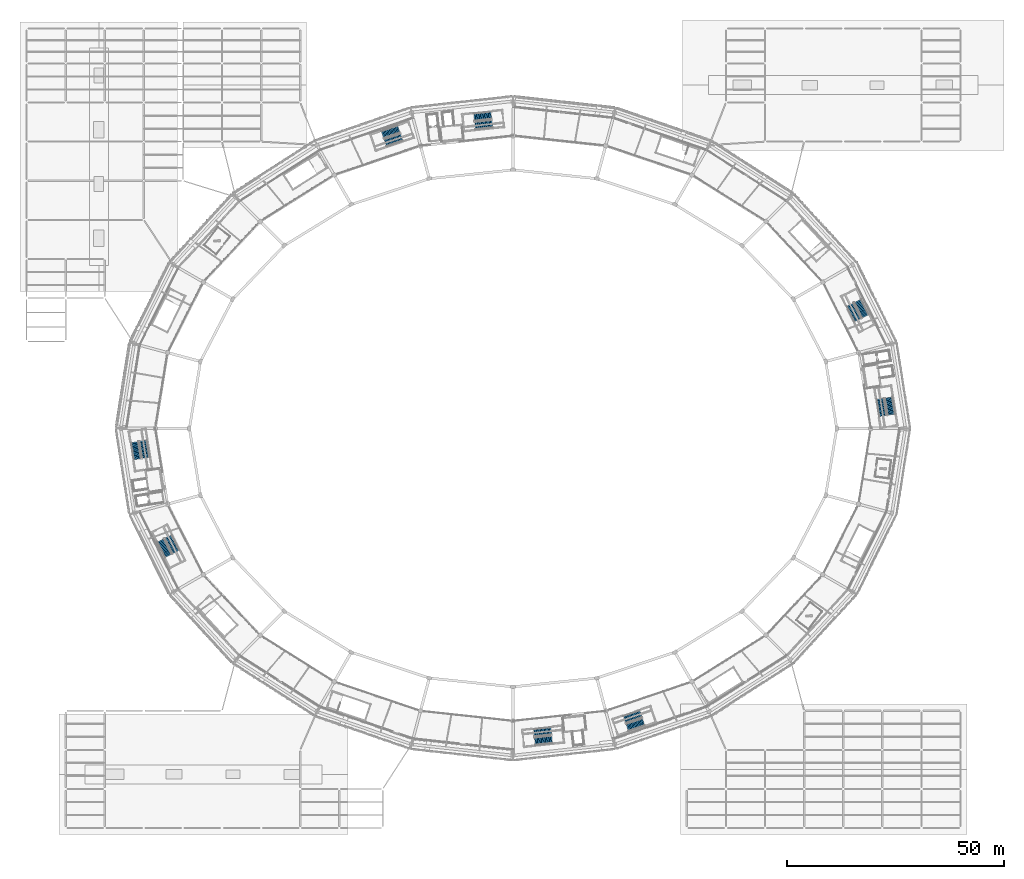
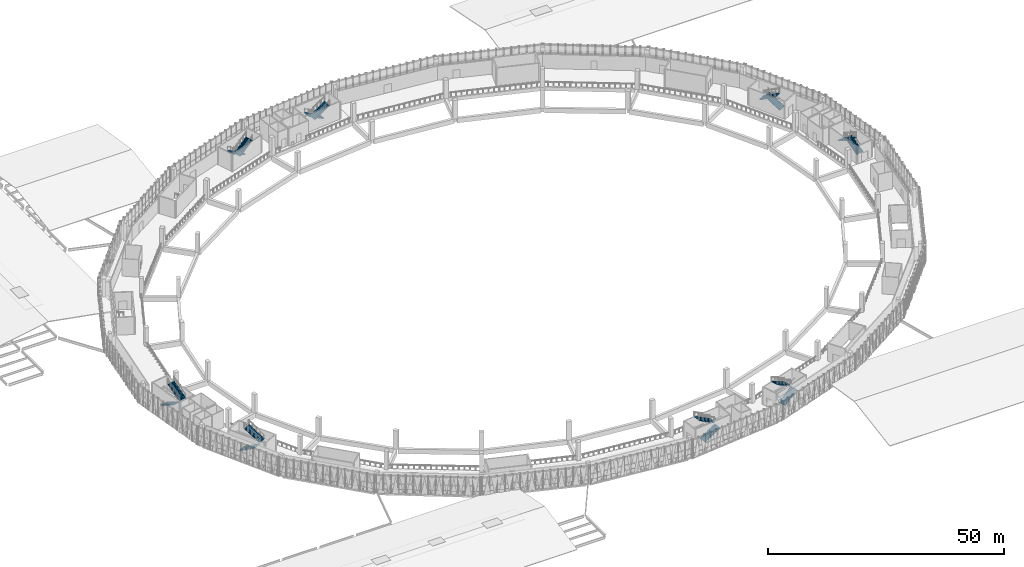
# One storey, part 75 of 108: 16 stair flights, 8 elements without a shape of their own.
"""IFC4 building model written with IfcOpenShell, lengths in metres."""

from ifc_helpers import new_model, si_unit, direction, frame, origin, place, context, subcontext, project, spatial, polyline, outline, extrude, material, type_object, element, aggregate, save


model = new_model("IFC4")

# Units and contexts
model_context = context("Model", 3, precision=1e-05, world=origin(), true_north=direction((0.0, 1.0)))
body_context = subcontext(model_context, "Body", "Model", "MODEL_VIEW")
ifc_project = project(units=[si_unit("LENGTHUNIT", "METRE"), si_unit("AREAUNIT", "SQUARE_METRE"), si_unit("VOLUMEUNIT", "CUBIC_METRE"), si_unit("PLANEANGLEUNIT", "RADIAN"), si_unit("MASSUNIT", "GRAM", prefix="KILO")], contexts=[model_context])

# Site, building, storey
site_placement = place(None, origin())
site = spatial("IfcSite", under=ifc_project, at=site_placement, CompositionType="ELEMENT")
building_placement = place(site_placement, origin())
building = spatial("IfcBuilding", under=site, at=building_placement, Name="Zevraka Park Crest Stadium", CompositionType="ELEMENT")
storey_placement = place(building_placement, frame((0.0, 0.0, 19.800048828125)))
storey = spatial("IfcBuildingStorey", under=building, at=storey_placement, Name="L04", CompositionType="ELEMENT", Elevation=19.800048828125)

# Stair, stair flights
ifc_material_1 = material(Name="Concrete C35/45", Category="concrete")
stair_type = type_object("IfcStairType", Name="STA2", PredefinedType="HALF_TURN_STAIR", material=ifc_material_1)
stair_1_placement = place(storey_placement, origin())
stair_1 = element("IfcStair", 1, at=stair_1_placement, inside=storey, type_object=stair_type, Name="L04 Protected Concourse Exit Stair ST01", PredefinedType="HALF_TURN_STAIR")
ifc_material_2 = material(Name="Concrete C35/45", Category="concrete")
stair_flight_type = type_object("IfcStairFlightType", Name="FLA2", PredefinedType="STRAIGHT", material=ifc_material_2)
stair_flight_1_placement = place(storey_placement, frame((199.0859375, 95.17333984375, 0.0), z_axis=(0.0, 0.0, 1.0), x_axis=(-0.157261853897, 0.987556939781, 0.0)))
stair_flight_1 = element("IfcStairFlight", 2, at=stair_flight_1_placement, type_object=stair_flight_type, Name="ST01 flight 1", NumberOfRisers=14, NumberOfTreads=13, PredefinedType="STRAIGHT", RiserHeight=0.171428571, TreadLength=0.305, context=body_context, shape_type="SweptSolid", body=[
    extrude(outline(polyline([(0.0, 0.0), (0.0, 0.17138671875), (0.304931640625, 0.17138671875), (0.304931640625, 0.3427734375), (0.610107421875, 0.3427734375), (0.610107421875, 0.514404296875), (0.9150390625, 0.514404296875), (0.9150390625, 0.685791015625), (1.219970703125, 0.685791015625), (1.219970703125, 0.857177734375), (1.52490234375, 0.857177734375), (1.52490234375, 1.028564453125), (1.830078125, 1.028564453125), (1.830078125, 1.199951171875), (2.135009765625, 1.199951171875), (2.135009765625, 1.371337890625), (2.43994140625, 1.371337890625), (2.43994140625, 1.54296875), (2.7451171875, 1.54296875), (2.7451171875, 1.71435546875), (3.050048828125, 1.71435546875), (3.050048828125, 1.8857421875), (3.35498046875, 1.8857421875), (3.35498046875, 2.05712890625), (3.659912109375, 2.05712890625), (3.659912109375, 2.228515625), (3.965087890625, 2.228515625), (3.965087890625, 2.39990234375), (3.965087890625, 2.045166015625), (0.326416015625, 0.0), (0.0, 0.0)])), frame((0.0, 0.89990234375, 0.0), z_axis=(0.0, -1.0, 0.0), x_axis=(1.0, 0.0, 0.0)), (0.0, 0.0, 1.0), 1.800048828125),
])
stair_flight_2_placement = place(storey_placement, frame((196.52685546875, 98.78076171875, 2.39990234375), z_axis=(0.0, 0.0, 1.0), x_axis=(0.157261853897, -0.987556939781, 0.0)))
stair_flight_2 = element("IfcStairFlight", 3, at=stair_flight_2_placement, type_object=stair_flight_type, Name="ST01 flight 2", NumberOfRisers=14, NumberOfTreads=13, PredefinedType="STRAIGHT", RiserHeight=0.171428571, TreadLength=0.305, context=body_context, shape_type="SweptSolid", body=[
    extrude(outline(polyline([(0.0, 0.0), (0.0, 0.17138671875), (0.304931640625, 0.17138671875), (0.304931640625, 0.3427734375), (0.610107421875, 0.3427734375), (0.610107421875, 0.514404296875), (0.9150390625, 0.514404296875), (0.9150390625, 0.685791015625), (1.219970703125, 0.685791015625), (1.219970703125, 0.857177734375), (1.52490234375, 0.857177734375), (1.52490234375, 1.028564453125), (1.830078125, 1.028564453125), (1.830078125, 1.199951171875), (2.135009765625, 1.199951171875), (2.135009765625, 1.371337890625), (2.43994140625, 1.371337890625), (2.43994140625, 1.54296875), (2.7451171875, 1.54296875), (2.7451171875, 1.71435546875), (3.050048828125, 1.71435546875), (3.050048828125, 1.8857421875), (3.35498046875, 1.8857421875), (3.35498046875, 2.05712890625), (3.659912109375, 2.05712890625), (3.659912109375, 2.228515625), (3.965087890625, 2.228515625), (3.965087890625, 2.39990234375), (3.965087890625, 2.045166015625), (0.326416015625, 0.0), (0.0, 0.0)])), frame((0.0, 0.89990234375, 0.0), z_axis=(0.0, -1.0, 0.0), x_axis=(1.0, 0.0, 0.0)), (0.0, 0.0, 1.0), 1.800048828125),
])
aggregate(stair_1, [stair_flight_1, stair_flight_2])

stair_2_placement = place(storey_placement, origin())
stair_2 = element("IfcStair", 4, at=stair_2_placement, inside=storey, type_object=stair_type, Name="L04 Protected Concourse Exit Stair ST02", PredefinedType="HALF_TURN_STAIR")
stair_flight_3_placement = place(storey_placement, frame((193.1064453125, 117.7939453125, 0.0), z_axis=(0.0, 0.0, 1.0), x_axis=(-0.447915140373, 0.894076074518, 0.0)))
stair_flight_3 = element("IfcStairFlight", 5, at=stair_flight_3_placement, type_object=stair_flight_type, Name="ST02 flight 1", NumberOfRisers=14, NumberOfTreads=13, PredefinedType="STRAIGHT", RiserHeight=0.171428571, TreadLength=0.305, context=body_context, shape_type="SweptSolid", body=[
    extrude(outline(polyline([(0.0, 0.0), (0.0, 0.17138671875), (0.304931640625, 0.17138671875), (0.304931640625, 0.3427734375), (0.610107421875, 0.3427734375), (0.610107421875, 0.514404296875), (0.9150390625, 0.514404296875), (0.9150390625, 0.685791015625), (1.219970703125, 0.685791015625), (1.219970703125, 0.857177734375), (1.52490234375, 0.857177734375), (1.52490234375, 1.028564453125), (1.830078125, 1.028564453125), (1.830078125, 1.199951171875), (2.135009765625, 1.199951171875), (2.135009765625, 1.371337890625), (2.43994140625, 1.371337890625), (2.43994140625, 1.54296875), (2.7451171875, 1.54296875), (2.7451171875, 1.71435546875), (3.050048828125, 1.71435546875), (3.050048828125, 1.8857421875), (3.35498046875, 1.8857421875), (3.35498046875, 2.05712890625), (3.659912109375, 2.05712890625), (3.659912109375, 2.228515625), (3.965087890625, 2.228515625), (3.965087890625, 2.39990234375), (3.965087890625, 2.045166015625), (0.326416015625, 0.0), (0.0, 0.0)])), frame((0.0, 0.89990234375, 0.0), z_axis=(0.0, -1.0, 0.0), x_axis=(1.0, 0.0, 0.0)), (0.0, 0.0, 1.0), 1.800048828125),
])
stair_flight_4_placement = place(storey_placement, frame((189.578125, 120.461181640625, 2.39990234375), z_axis=(0.0, 0.0, 1.0), x_axis=(0.447915140373, -0.894076074518, 0.0)))
stair_flight_4 = element("IfcStairFlight", 6, at=stair_flight_4_placement, type_object=stair_flight_type, Name="ST02 flight 2", NumberOfRisers=14, NumberOfTreads=13, PredefinedType="STRAIGHT", RiserHeight=0.171428571, TreadLength=0.305, context=body_context, shape_type="SweptSolid", body=[
    extrude(outline(polyline([(0.0, 0.0), (0.0, 0.17138671875), (0.304931640625, 0.17138671875), (0.304931640625, 0.3427734375), (0.610107421875, 0.3427734375), (0.610107421875, 0.514404296875), (0.9150390625, 0.514404296875), (0.9150390625, 0.685791015625), (1.219970703125, 0.685791015625), (1.219970703125, 0.857177734375), (1.52490234375, 0.857177734375), (1.52490234375, 1.028564453125), (1.830078125, 1.028564453125), (1.830078125, 1.199951171875), (2.135009765625, 1.199951171875), (2.135009765625, 1.371337890625), (2.43994140625, 1.371337890625), (2.43994140625, 1.54296875), (2.7451171875, 1.54296875), (2.7451171875, 1.71435546875), (3.050048828125, 1.71435546875), (3.050048828125, 1.8857421875), (3.35498046875, 1.8857421875), (3.35498046875, 2.05712890625), (3.659912109375, 2.05712890625), (3.659912109375, 2.228515625), (3.965087890625, 2.228515625), (3.965087890625, 2.39990234375), (3.965087890625, 2.045166015625), (0.326416015625, 0.0), (0.0, 0.0)])), frame((0.0, 0.89990234375, 0.0), z_axis=(0.0, -1.0, 0.0), x_axis=(1.0, 0.0, 0.0)), (0.0, 0.0, 1.0), 1.800048828125),
])
aggregate(stair_2, [stair_flight_3, stair_flight_4])

stair_3_placement = place(storey_placement, origin())
stair_3 = element("IfcStair", 7, at=stair_3_placement, inside=storey, type_object=stair_type, Name="L04 Protected Concourse Exit Stair ST07", PredefinedType="HALF_TURN_STAIR")
stair_flight_5_placement = place(storey_placement, frame((106.97509765625, 164.038818359375, 0.0), z_axis=(0.0, 0.0, 1.0), x_axis=(-0.994127567381, -0.108214508149, 0.0)))
stair_flight_5 = element("IfcStairFlight", 8, at=stair_flight_5_placement, type_object=stair_flight_type, Name="ST07 flight 1", NumberOfRisers=14, NumberOfTreads=13, PredefinedType="STRAIGHT", RiserHeight=0.171428571, TreadLength=0.305, context=body_context, shape_type="SweptSolid", body=[
    extrude(outline(polyline([(0.0, 0.0), (0.0, 0.17138671875), (0.304931640625, 0.17138671875), (0.304931640625, 0.3427734375), (0.610107421875, 0.3427734375), (0.610107421875, 0.514404296875), (0.9150390625, 0.514404296875), (0.9150390625, 0.685791015625), (1.219970703125, 0.685791015625), (1.219970703125, 0.857177734375), (1.52490234375, 0.857177734375), (1.52490234375, 1.028564453125), (1.830078125, 1.028564453125), (1.830078125, 1.199951171875), (2.135009765625, 1.199951171875), (2.135009765625, 1.371337890625), (2.43994140625, 1.371337890625), (2.43994140625, 1.54296875), (2.7451171875, 1.54296875), (2.7451171875, 1.71435546875), (3.050048828125, 1.71435546875), (3.050048828125, 1.8857421875), (3.35498046875, 1.8857421875), (3.35498046875, 2.05712890625), (3.659912109375, 2.05712890625), (3.659912109375, 2.228515625), (3.965087890625, 2.228515625), (3.965087890625, 2.39990234375), (3.965087890625, 2.045166015625), (0.326416015625, 0.0), (0.0, 0.0)])), frame((0.0, 0.89990234375, 0.0), z_axis=(0.0, -1.0, 0.0), x_axis=(1.0, 0.0, 0.0)), (0.0, 0.0, 1.0), 1.800048828125),
])
stair_flight_6_placement = place(storey_placement, frame((103.245361328125, 161.6611328125, 2.39990234375), z_axis=(0.0, 0.0, 1.0), x_axis=(0.994127567381, 0.108214508149, 0.0)))
stair_flight_6 = element("IfcStairFlight", 9, at=stair_flight_6_placement, type_object=stair_flight_type, Name="ST07 flight 2", NumberOfRisers=14, NumberOfTreads=13, PredefinedType="STRAIGHT", RiserHeight=0.171428571, TreadLength=0.305, context=body_context, shape_type="SweptSolid", body=[
    extrude(outline(polyline([(0.0, 0.0), (0.0, 0.17138671875), (0.304931640625, 0.17138671875), (0.304931640625, 0.3427734375), (0.610107421875, 0.3427734375), (0.610107421875, 0.514404296875), (0.9150390625, 0.514404296875), (0.9150390625, 0.685791015625), (1.219970703125, 0.685791015625), (1.219970703125, 0.857177734375), (1.52490234375, 0.857177734375), (1.52490234375, 1.028564453125), (1.830078125, 1.028564453125), (1.830078125, 1.199951171875), (2.135009765625, 1.199951171875), (2.135009765625, 1.371337890625), (2.43994140625, 1.371337890625), (2.43994140625, 1.54296875), (2.7451171875, 1.54296875), (2.7451171875, 1.71435546875), (3.050048828125, 1.71435546875), (3.050048828125, 1.8857421875), (3.35498046875, 1.8857421875), (3.35498046875, 2.05712890625), (3.659912109375, 2.05712890625), (3.659912109375, 2.228515625), (3.965087890625, 2.228515625), (3.965087890625, 2.39990234375), (3.965087890625, 2.045166015625), (0.326416015625, 0.0), (0.0, 0.0)])), frame((0.0, 0.89990234375, 0.0), z_axis=(0.0, -1.0, 0.0), x_axis=(1.0, 0.0, 0.0)), (0.0, 0.0, 1.0), 1.800048828125),
])
aggregate(stair_3, [stair_flight_5, stair_flight_6])

stair_4_placement = place(storey_placement, origin())
stair_4 = element("IfcStair", 10, at=stair_4_placement, inside=storey, type_object=stair_type, Name="L04 Protected Concourse Exit Stair ST08", PredefinedType="HALF_TURN_STAIR")
stair_flight_7_placement = place(storey_placement, frame((85.70849609375, 160.86767578125, 0.0), z_axis=(0.0, 0.0, 1.0), x_axis=(-0.946066135515, -0.323973559463, 0.0)))
stair_flight_7 = element("IfcStairFlight", 11, at=stair_flight_7_placement, type_object=stair_flight_type, Name="ST08 flight 1", NumberOfRisers=14, NumberOfTreads=13, PredefinedType="STRAIGHT", RiserHeight=0.171428571, TreadLength=0.305, context=body_context, shape_type="SweptSolid", body=[
    extrude(outline(polyline([(0.0, 0.0), (0.0, 0.17138671875), (0.304931640625, 0.17138671875), (0.304931640625, 0.3427734375), (0.610107421875, 0.3427734375), (0.610107421875, 0.514404296875), (0.9150390625, 0.514404296875), (0.9150390625, 0.685791015625), (1.219970703125, 0.685791015625), (1.219970703125, 0.857177734375), (1.52490234375, 0.857177734375), (1.52490234375, 1.028564453125), (1.830078125, 1.028564453125), (1.830078125, 1.199951171875), (2.135009765625, 1.199951171875), (2.135009765625, 1.371337890625), (2.43994140625, 1.371337890625), (2.43994140625, 1.54296875), (2.7451171875, 1.54296875), (2.7451171875, 1.71435546875), (3.050048828125, 1.71435546875), (3.050048828125, 1.8857421875), (3.35498046875, 1.8857421875), (3.35498046875, 2.05712890625), (3.659912109375, 2.05712890625), (3.659912109375, 2.228515625), (3.965087890625, 2.228515625), (3.965087890625, 2.39990234375), (3.965087890625, 2.045166015625), (0.326416015625, 0.0), (0.0, 0.0)])), frame((0.0, 0.89990234375, 0.0), z_axis=(0.0, -1.0, 0.0), x_axis=(1.0, 0.0, 0.0)), (0.0, 0.0, 1.0), 1.800048828125),
])
stair_flight_8_placement = place(storey_placement, frame((82.59228515625, 157.728759765625, 2.39990234375), z_axis=(0.0, 0.0, 1.0), x_axis=(0.946066135515, 0.323973559463, 0.0)))
stair_flight_8 = element("IfcStairFlight", 12, at=stair_flight_8_placement, type_object=stair_flight_type, Name="ST08 flight 2", NumberOfRisers=14, NumberOfTreads=13, PredefinedType="STRAIGHT", RiserHeight=0.171428571, TreadLength=0.305, context=body_context, shape_type="SweptSolid", body=[
    extrude(outline(polyline([(0.0, 0.0), (0.0, 0.17138671875), (0.304931640625, 0.17138671875), (0.304931640625, 0.3427734375), (0.610107421875, 0.3427734375), (0.610107421875, 0.514404296875), (0.9150390625, 0.514404296875), (0.9150390625, 0.685791015625), (1.219970703125, 0.685791015625), (1.219970703125, 0.857177734375), (1.52490234375, 0.857177734375), (1.52490234375, 1.028564453125), (1.830078125, 1.028564453125), (1.830078125, 1.199951171875), (2.135009765625, 1.199951171875), (2.135009765625, 1.371337890625), (2.43994140625, 1.371337890625), (2.43994140625, 1.54296875), (2.7451171875, 1.54296875), (2.7451171875, 1.71435546875), (3.050048828125, 1.71435546875), (3.050048828125, 1.8857421875), (3.35498046875, 1.8857421875), (3.35498046875, 2.05712890625), (3.659912109375, 2.05712890625), (3.659912109375, 2.228515625), (3.965087890625, 2.228515625), (3.965087890625, 2.39990234375), (3.965087890625, 2.045166015625), (0.326416015625, 0.0), (0.0, 0.0)])), frame((0.0, 0.89990234375, 0.0), z_axis=(0.0, -1.0, 0.0), x_axis=(1.0, 0.0, 0.0)), (0.0, 0.0, 1.0), 1.800048828125),
])
aggregate(stair_4, [stair_flight_7, stair_flight_8])

stair_5_placement = place(storey_placement, origin())
stair_5 = element("IfcStair", 13, at=stair_5_placement, inside=storey, type_object=stair_type, Name="L04 Protected Concourse Exit Stair ST13", PredefinedType="HALF_TURN_STAIR")
stair_flight_9_placement = place(storey_placement, frame((24.9140625, 88.82666015625, 0.0), z_axis=(0.0, 0.0, 1.0), x_axis=(0.157261853897, -0.987556939781, 0.0)))
stair_flight_9 = element("IfcStairFlight", 14, at=stair_flight_9_placement, type_object=stair_flight_type, Name="ST13 flight 1", NumberOfRisers=14, NumberOfTreads=13, PredefinedType="STRAIGHT", RiserHeight=0.171428571, TreadLength=0.305, context=body_context, shape_type="SweptSolid", body=[
    extrude(outline(polyline([(0.0, 0.0), (0.0, 0.17138671875), (0.304931640625, 0.17138671875), (0.304931640625, 0.3427734375), (0.610107421875, 0.3427734375), (0.610107421875, 0.514404296875), (0.9150390625, 0.514404296875), (0.9150390625, 0.685791015625), (1.219970703125, 0.685791015625), (1.219970703125, 0.857177734375), (1.52490234375, 0.857177734375), (1.52490234375, 1.028564453125), (1.830078125, 1.028564453125), (1.830078125, 1.199951171875), (2.135009765625, 1.199951171875), (2.135009765625, 1.371337890625), (2.43994140625, 1.371337890625), (2.43994140625, 1.54296875), (2.7451171875, 1.54296875), (2.7451171875, 1.71435546875), (3.050048828125, 1.71435546875), (3.050048828125, 1.8857421875), (3.35498046875, 1.8857421875), (3.35498046875, 2.05712890625), (3.659912109375, 2.05712890625), (3.659912109375, 2.228515625), (3.965087890625, 2.228515625), (3.965087890625, 2.39990234375), (3.965087890625, 2.045166015625), (0.326416015625, 0.0), (0.0, 0.0)])), frame((0.0, 0.89990234375, 0.0), z_axis=(0.0, -1.0, 0.0), x_axis=(1.0, 0.0, 0.0)), (0.0, 0.0, 1.0), 1.800048828125),
])
stair_flight_10_placement = place(storey_placement, frame((27.47314453125, 85.21923828125, 2.39990234375), z_axis=(0.0, 0.0, 1.0), x_axis=(-0.157261853897, 0.987556939781, 0.0)))
stair_flight_10 = element("IfcStairFlight", 15, at=stair_flight_10_placement, type_object=stair_flight_type, Name="ST13 flight 2", NumberOfRisers=14, NumberOfTreads=13, PredefinedType="STRAIGHT", RiserHeight=0.171428571, TreadLength=0.305, context=body_context, shape_type="SweptSolid", body=[
    extrude(outline(polyline([(0.0, 0.0), (0.0, 0.17138671875), (0.304931640625, 0.17138671875), (0.304931640625, 0.3427734375), (0.610107421875, 0.3427734375), (0.610107421875, 0.514404296875), (0.9150390625, 0.514404296875), (0.9150390625, 0.685791015625), (1.219970703125, 0.685791015625), (1.219970703125, 0.857177734375), (1.52490234375, 0.857177734375), (1.52490234375, 1.028564453125), (1.830078125, 1.028564453125), (1.830078125, 1.199951171875), (2.135009765625, 1.199951171875), (2.135009765625, 1.371337890625), (2.43994140625, 1.371337890625), (2.43994140625, 1.54296875), (2.7451171875, 1.54296875), (2.7451171875, 1.71435546875), (3.050048828125, 1.71435546875), (3.050048828125, 1.8857421875), (3.35498046875, 1.8857421875), (3.35498046875, 2.05712890625), (3.659912109375, 2.05712890625), (3.659912109375, 2.228515625), (3.965087890625, 2.228515625), (3.965087890625, 2.39990234375), (3.965087890625, 2.045166015625), (0.326416015625, 0.0), (0.0, 0.0)])), frame((0.0, 0.89990234375, 0.0), z_axis=(0.0, -1.0, 0.0), x_axis=(1.0, 0.0, 0.0)), (0.0, 0.0, 1.0), 1.800048828125),
])
aggregate(stair_5, [stair_flight_9, stair_flight_10])

stair_6_placement = place(storey_placement, origin())
stair_6 = element("IfcStair", 16, at=stair_6_placement, inside=storey, type_object=stair_type, Name="L04 Protected Concourse Exit Stair ST14", PredefinedType="HALF_TURN_STAIR")
stair_flight_11_placement = place(storey_placement, frame((30.8935546875, 66.2060546875, 0.0), z_axis=(0.0, 0.0, 1.0), x_axis=(0.447915140373, -0.894076074518, 0.0)))
stair_flight_11 = element("IfcStairFlight", 17, at=stair_flight_11_placement, type_object=stair_flight_type, Name="ST14 flight 1", NumberOfRisers=14, NumberOfTreads=13, PredefinedType="STRAIGHT", RiserHeight=0.171428571, TreadLength=0.305, context=body_context, shape_type="SweptSolid", body=[
    extrude(outline(polyline([(0.0, 0.0), (0.0, 0.17138671875), (0.304931640625, 0.17138671875), (0.304931640625, 0.3427734375), (0.610107421875, 0.3427734375), (0.610107421875, 0.514404296875), (0.9150390625, 0.514404296875), (0.9150390625, 0.685791015625), (1.219970703125, 0.685791015625), (1.219970703125, 0.857177734375), (1.52490234375, 0.857177734375), (1.52490234375, 1.028564453125), (1.830078125, 1.028564453125), (1.830078125, 1.199951171875), (2.135009765625, 1.199951171875), (2.135009765625, 1.371337890625), (2.43994140625, 1.371337890625), (2.43994140625, 1.54296875), (2.7451171875, 1.54296875), (2.7451171875, 1.71435546875), (3.050048828125, 1.71435546875), (3.050048828125, 1.8857421875), (3.35498046875, 1.8857421875), (3.35498046875, 2.05712890625), (3.659912109375, 2.05712890625), (3.659912109375, 2.228515625), (3.965087890625, 2.228515625), (3.965087890625, 2.39990234375), (3.965087890625, 2.045166015625), (0.326416015625, 0.0), (0.0, 0.0)])), frame((0.0, 0.89990234375, 0.0), z_axis=(0.0, -1.0, 0.0), x_axis=(1.0, 0.0, 0.0)), (0.0, 0.0, 1.0), 1.800048828125),
])
stair_flight_12_placement = place(storey_placement, frame((34.421875, 63.538818359375, 2.39990234375), z_axis=(0.0, 0.0, 1.0), x_axis=(-0.447915140373, 0.894076074518, 0.0)))
stair_flight_12 = element("IfcStairFlight", 18, at=stair_flight_12_placement, type_object=stair_flight_type, Name="ST14 flight 2", NumberOfRisers=14, NumberOfTreads=13, PredefinedType="STRAIGHT", RiserHeight=0.171428571, TreadLength=0.305, context=body_context, shape_type="SweptSolid", body=[
    extrude(outline(polyline([(0.0, 0.0), (0.0, 0.17138671875), (0.304931640625, 0.17138671875), (0.304931640625, 0.3427734375), (0.610107421875, 0.3427734375), (0.610107421875, 0.514404296875), (0.9150390625, 0.514404296875), (0.9150390625, 0.685791015625), (1.219970703125, 0.685791015625), (1.219970703125, 0.857177734375), (1.52490234375, 0.857177734375), (1.52490234375, 1.028564453125), (1.830078125, 1.028564453125), (1.830078125, 1.199951171875), (2.135009765625, 1.199951171875), (2.135009765625, 1.371337890625), (2.43994140625, 1.371337890625), (2.43994140625, 1.54296875), (2.7451171875, 1.54296875), (2.7451171875, 1.71435546875), (3.050048828125, 1.71435546875), (3.050048828125, 1.8857421875), (3.35498046875, 1.8857421875), (3.35498046875, 2.05712890625), (3.659912109375, 2.05712890625), (3.659912109375, 2.228515625), (3.965087890625, 2.228515625), (3.965087890625, 2.39990234375), (3.965087890625, 2.045166015625), (0.326416015625, 0.0), (0.0, 0.0)])), frame((0.0, 0.89990234375, 0.0), z_axis=(0.0, -1.0, 0.0), x_axis=(1.0, 0.0, 0.0)), (0.0, 0.0, 1.0), 1.800048828125),
])
aggregate(stair_6, [stair_flight_11, stair_flight_12])

stair_7_placement = place(storey_placement, origin())
stair_7 = element("IfcStair", 19, at=stair_7_placement, inside=storey, type_object=stair_type, Name="L04 Protected Concourse Exit Stair ST19", PredefinedType="HALF_TURN_STAIR")
stair_flight_13_placement = place(storey_placement, frame((117.02490234375, 19.961181640625, 0.0), z_axis=(0.0, 0.0, 1.0), x_axis=(0.994127567381, 0.108214508149, 0.0)))
stair_flight_13 = element("IfcStairFlight", 20, at=stair_flight_13_placement, type_object=stair_flight_type, Name="ST19 flight 1", NumberOfRisers=14, NumberOfTreads=13, PredefinedType="STRAIGHT", RiserHeight=0.171428571, TreadLength=0.305, context=body_context, shape_type="SweptSolid", body=[
    extrude(outline(polyline([(0.0, 0.0), (0.0, 0.17138671875), (0.304931640625, 0.17138671875), (0.304931640625, 0.3427734375), (0.610107421875, 0.3427734375), (0.610107421875, 0.514404296875), (0.9150390625, 0.514404296875), (0.9150390625, 0.685791015625), (1.219970703125, 0.685791015625), (1.219970703125, 0.857177734375), (1.52490234375, 0.857177734375), (1.52490234375, 1.028564453125), (1.830078125, 1.028564453125), (1.830078125, 1.199951171875), (2.135009765625, 1.199951171875), (2.135009765625, 1.371337890625), (2.43994140625, 1.371337890625), (2.43994140625, 1.54296875), (2.7451171875, 1.54296875), (2.7451171875, 1.71435546875), (3.050048828125, 1.71435546875), (3.050048828125, 1.8857421875), (3.35498046875, 1.8857421875), (3.35498046875, 2.05712890625), (3.659912109375, 2.05712890625), (3.659912109375, 2.228515625), (3.965087890625, 2.228515625), (3.965087890625, 2.39990234375), (3.965087890625, 2.045166015625), (0.326416015625, 0.0), (0.0, 0.0)])), frame((0.0, 0.89990234375, 0.0), z_axis=(0.0, -1.0, 0.0), x_axis=(1.0, 0.0, 0.0)), (0.0, 0.0, 1.0), 1.800048828125),
])
stair_flight_14_placement = place(storey_placement, frame((120.754638671875, 22.3388671875, 2.39990234375), z_axis=(0.0, 0.0, 1.0), x_axis=(-0.994127567381, -0.108214508149, 0.0)))
stair_flight_14 = element("IfcStairFlight", 21, at=stair_flight_14_placement, type_object=stair_flight_type, Name="ST19 flight 2", NumberOfRisers=14, NumberOfTreads=13, PredefinedType="STRAIGHT", RiserHeight=0.171428571, TreadLength=0.305, context=body_context, shape_type="SweptSolid", body=[
    extrude(outline(polyline([(0.0, 0.0), (0.0, 0.17138671875), (0.304931640625, 0.17138671875), (0.304931640625, 0.3427734375), (0.610107421875, 0.3427734375), (0.610107421875, 0.514404296875), (0.9150390625, 0.514404296875), (0.9150390625, 0.685791015625), (1.219970703125, 0.685791015625), (1.219970703125, 0.857177734375), (1.52490234375, 0.857177734375), (1.52490234375, 1.028564453125), (1.830078125, 1.028564453125), (1.830078125, 1.199951171875), (2.135009765625, 1.199951171875), (2.135009765625, 1.371337890625), (2.43994140625, 1.371337890625), (2.43994140625, 1.54296875), (2.7451171875, 1.54296875), (2.7451171875, 1.71435546875), (3.050048828125, 1.71435546875), (3.050048828125, 1.8857421875), (3.35498046875, 1.8857421875), (3.35498046875, 2.05712890625), (3.659912109375, 2.05712890625), (3.659912109375, 2.228515625), (3.965087890625, 2.228515625), (3.965087890625, 2.39990234375), (3.965087890625, 2.045166015625), (0.326416015625, 0.0), (0.0, 0.0)])), frame((0.0, 0.89990234375, 0.0), z_axis=(0.0, -1.0, 0.0), x_axis=(1.0, 0.0, 0.0)), (0.0, 0.0, 1.0), 1.800048828125),
])
aggregate(stair_7, [stair_flight_13, stair_flight_14])

stair_8_placement = place(storey_placement, origin())
stair_8 = element("IfcStair", 22, at=stair_8_placement, inside=storey, type_object=stair_type, Name="L04 Protected Concourse Exit Stair ST20", PredefinedType="HALF_TURN_STAIR")
stair_flight_15_placement = place(storey_placement, frame((138.29150390625, 23.13232421875, 0.0), z_axis=(0.0, 0.0, 1.0), x_axis=(0.946066135515, 0.323973559463, 0.0)))
stair_flight_15 = element("IfcStairFlight", 23, at=stair_flight_15_placement, type_object=stair_flight_type, Name="ST20 flight 1", NumberOfRisers=14, NumberOfTreads=13, PredefinedType="STRAIGHT", RiserHeight=0.171428571, TreadLength=0.305, context=body_context, shape_type="SweptSolid", body=[
    extrude(outline(polyline([(0.0, 0.0), (0.0, 0.17138671875), (0.304931640625, 0.17138671875), (0.304931640625, 0.3427734375), (0.610107421875, 0.3427734375), (0.610107421875, 0.514404296875), (0.9150390625, 0.514404296875), (0.9150390625, 0.685791015625), (1.219970703125, 0.685791015625), (1.219970703125, 0.857177734375), (1.52490234375, 0.857177734375), (1.52490234375, 1.028564453125), (1.830078125, 1.028564453125), (1.830078125, 1.199951171875), (2.135009765625, 1.199951171875), (2.135009765625, 1.371337890625), (2.43994140625, 1.371337890625), (2.43994140625, 1.54296875), (2.7451171875, 1.54296875), (2.7451171875, 1.71435546875), (3.050048828125, 1.71435546875), (3.050048828125, 1.8857421875), (3.35498046875, 1.8857421875), (3.35498046875, 2.05712890625), (3.659912109375, 2.05712890625), (3.659912109375, 2.228515625), (3.965087890625, 2.228515625), (3.965087890625, 2.39990234375), (3.965087890625, 2.045166015625), (0.326416015625, 0.0), (0.0, 0.0)])), frame((0.0, 0.89990234375, 0.0), z_axis=(0.0, -1.0, 0.0), x_axis=(1.0, 0.0, 0.0)), (0.0, 0.0, 1.0), 1.800048828125),
])
stair_flight_16_placement = place(storey_placement, frame((141.40771484375, 26.271240234375, 2.39990234375), z_axis=(0.0, 0.0, 1.0), x_axis=(-0.946066135515, -0.323973559463, 0.0)))
stair_flight_16 = element("IfcStairFlight", 24, at=stair_flight_16_placement, type_object=stair_flight_type, Name="ST20 flight 2", NumberOfRisers=14, NumberOfTreads=13, PredefinedType="STRAIGHT", RiserHeight=0.171428571, TreadLength=0.305, context=body_context, shape_type="SweptSolid", body=[
    extrude(outline(polyline([(0.0, 0.0), (0.0, 0.17138671875), (0.304931640625, 0.17138671875), (0.304931640625, 0.3427734375), (0.610107421875, 0.3427734375), (0.610107421875, 0.514404296875), (0.9150390625, 0.514404296875), (0.9150390625, 0.685791015625), (1.219970703125, 0.685791015625), (1.219970703125, 0.857177734375), (1.52490234375, 0.857177734375), (1.52490234375, 1.028564453125), (1.830078125, 1.028564453125), (1.830078125, 1.199951171875), (2.135009765625, 1.199951171875), (2.135009765625, 1.371337890625), (2.43994140625, 1.371337890625), (2.43994140625, 1.54296875), (2.7451171875, 1.54296875), (2.7451171875, 1.71435546875), (3.050048828125, 1.71435546875), (3.050048828125, 1.8857421875), (3.35498046875, 1.8857421875), (3.35498046875, 2.05712890625), (3.659912109375, 2.05712890625), (3.659912109375, 2.228515625), (3.965087890625, 2.228515625), (3.965087890625, 2.39990234375), (3.965087890625, 2.045166015625), (0.326416015625, 0.0), (0.0, 0.0)])), frame((0.0, 0.89990234375, 0.0), z_axis=(0.0, -1.0, 0.0), x_axis=(1.0, 0.0, 0.0)), (0.0, 0.0, 1.0), 1.800048828125),
])
aggregate(stair_8, [stair_flight_15, stair_flight_16])

save(model, "model.ifc")
